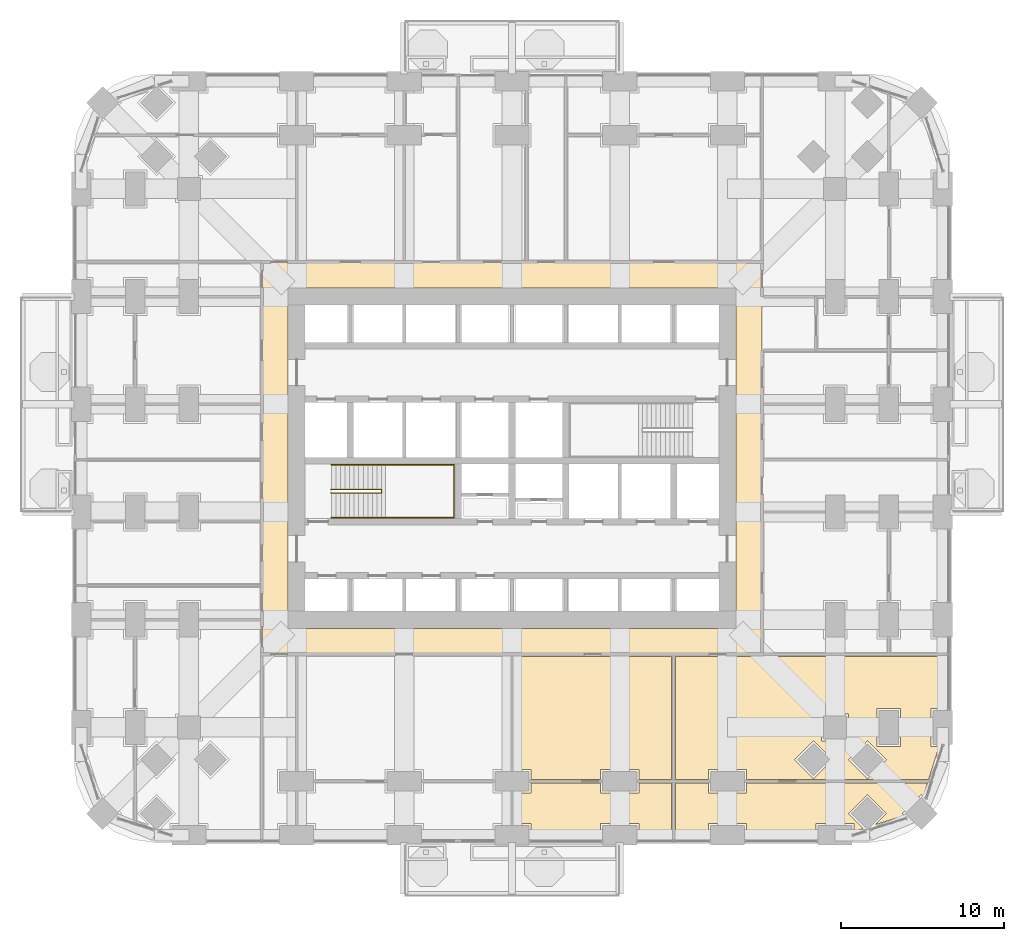
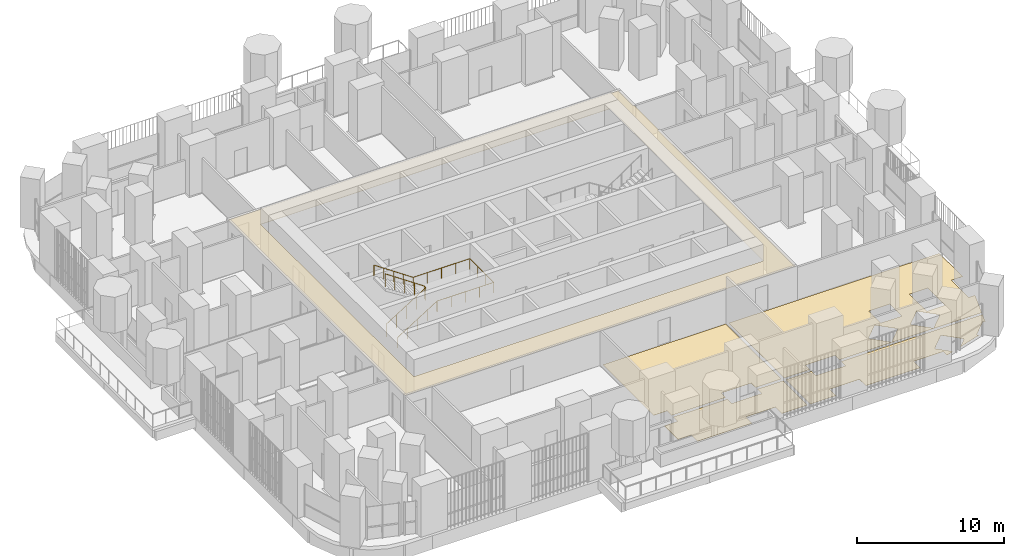
# One storey, part 23 of 26: 5 coverings, 2 railings.
"""IFC4 building model written with IfcOpenShell, lengths in metres."""

from ifc_helpers import new_model, si_unit, direction, frame, origin, place, context, subcontext, project, spatial, polyline, outline, extrude, material, layer, layer_set, type_object, element, save


model = new_model("IFC4")

# Units and contexts
model_context = context("Model", 3, precision=1e-05, world=origin(), true_north=direction((0.0, 1.0)))
body_context = subcontext(model_context, "Body", "Model", "MODEL_VIEW")
ifc_project = project(units=[si_unit("LENGTHUNIT", "METRE"), si_unit("AREAUNIT", "SQUARE_METRE"), si_unit("VOLUMEUNIT", "CUBIC_METRE"), si_unit("PLANEANGLEUNIT", "RADIAN"), si_unit("MASSUNIT", "GRAM", prefix="KILO")], contexts=[model_context])

# Site, building, storey
site_placement = place(None, origin())
site = spatial("IfcSite", under=ifc_project, at=site_placement, CompositionType="ELEMENT")
building_placement = place(site_placement, origin())
building = spatial("IfcBuilding", under=site, at=building_placement, Name="Cobogo Forest Laboratory Tower", CompositionType="ELEMENT")
storey_placement = place(building_placement, frame((0.0, 0.0, 25.5)))
storey = spatial("IfcBuildingStorey", under=building, at=storey_placement, Name="L05", CompositionType="ELEMENT", Elevation=25.5)

# Coverings
ifc_material_1 = material(Name="Mineral fibre ceiling tile", Category="ceiling")
ifc_layer_1 = layer(ifc_material_1, 0.02001953125)
ifc_layer_set_1 = layer_set([ifc_layer_1], Name="CL1 suspended ceiling")
covering_type_1 = type_object("IfcCoveringType", Name="CL1 suspended ceiling", PredefinedType="CEILING", material=ifc_layer_set_1)
covering_1_placement = place(storey_placement, frame((0.0, 0.0, 2.800048828125)))
element("IfcCovering", 1, at=covering_1_placement, inside=storey, type_object=covering_type_1, Name="Corridor ceiling L05", PredefinedType="CEILING", context=body_context, shape_type="SweptSolid", body=[
    extrude(outline(polyline([(11.074951171875, 11.074951171875), (11.074951171875, 35.125), (41.72509765625, 35.125), (41.72509765625, 11.074951171875), (11.074951171875, 11.074951171875)]), holes=[polyline([(40.125, 33.52490234375), (12.675048828125, 33.52490234375), (12.675048828125, 12.675048828125), (40.125, 12.675048828125), (40.125, 33.52490234375)])]), origin(), (0.0, 0.0, 1.0), 0.02001953125),
])
ifc_material_2 = material(Name="Carpet tile on raised access floor", Category="flooring")
ifc_layer_2 = layer(ifc_material_2, 0.008056640625)
ifc_layer_set_2 = layer_set([ifc_layer_2], Name="CT1 carpet tile floor 8")
covering_type_2 = type_object("IfcCoveringType", Name="CT1 carpet tile floor 8", PredefinedType="FLOORING", material=ifc_layer_set_2)
covering_2_placement = place(storey_placement, origin())
element("IfcCovering", 2, at=covering_2_placement, inside=storey, type_object=covering_type_2, Name="Carpet floor L05-05", PredefinedType="FLOORING", context=body_context, shape_type="SweptSolid", body=[
    extrude(outline(polyline([(31.830078125, 3.179931640625), (31.830078125, 2.580078125), (34.169921875, 2.580078125), (34.169921875, 3.179931640625), (36.179931640625, 3.179931640625), (36.179931640625, -0.14990234375), (34.169921875, -0.14990234375), (34.169921875, 0.719970703125), (31.830078125, 0.719970703125), (31.830078125, -0.14990234375), (27.570068359375, -0.14990234375), (27.570068359375, 0.719970703125), (26.52001953125, 0.719970703125), (26.52001953125, 2.580078125), (27.570068359375, 2.580078125), (27.570068359375, 3.179931640625), (31.830078125, 3.179931640625)])), origin(), (0.0, 0.0, 1.0), 0.008056640625),
])
covering_3_placement = place(storey_placement, origin())
element("IfcCovering", 3, at=covering_3_placement, inside=storey, type_object=covering_type_2, Name="Carpet floor L05-07", PredefinedType="FLOORING", context=body_context, shape_type="SweptSolid", body=[
    extrude(outline(polyline([(38.429931640625, 3.179931640625), (38.429931640625, 2.580078125), (40.77001953125, 2.580078125), (40.77001953125, 3.179931640625), (51.8603515625, 3.179931640625), (51.600830078125, 2.358642578125), (51.48193359375, 2.477783203125), (50.322265625, 1.318115234375), (50.441162109375, 1.19921875), (48.660400390625, 0.63671875), (49.341552734375, 1.318115234375), (48.181884765625, 2.477783203125), (47.022216796875, 1.318115234375), (47.933349609375, 0.406982421875), (47.3701171875, 0.229248046875), (47.3701171875, 0.719970703125), (45.030029296875, 0.719970703125), (45.030029296875, -0.14990234375), (40.77001953125, -0.14990234375), (40.77001953125, 0.719970703125), (38.429931640625, 0.719970703125), (38.429931640625, -0.14990234375), (36.419921875, -0.14990234375), (36.419921875, 3.179931640625), (38.429931640625, 3.179931640625)])), origin(), (0.0, 0.0, 1.0), 0.008056640625),
])

# Railings
ifc_material_3 = material(Name="Steel balustrade", Category="steel")
railing_type_1 = type_object("IfcRailingType", Name="GR stair guard 1100", PredefinedType="GUARDRAIL", material=ifc_material_3)
railing_1_placement = place(storey_placement, frame((15.324951171875, 20.969970703125, 0.175048828125)))
element("IfcRailing", 4, at=railing_1_placement, inside=storey, type_object=railing_type_1, Name="Stair guard ST1 L05", PredefinedType="GUARDRAIL", context=body_context, shape_type="SweptSolid", body=[
    extrude(outline(polyline([(0.022216796875, 0.00927734375), (0.00927734375, 0.022216796875), (-0.00927734375, 0.022216796875), (-0.022216796875, 0.00927734375), (-0.022216796875, -0.00927734375), (-0.00927734375, -0.022216796875), (0.00927734375, -0.022216796875), (0.022216796875, -0.00927734375), (0.022216796875, 0.00927734375)])), frame((0.0, 0.0, 1.077880859375), z_axis=(0.847998304005, 0.0, 0.529998940003), x_axis=(0.0, 1.0, 0.0)), (0.0, 0.0, 1.0), 3.632080078125),
    extrude(outline(polyline([(0.022216796875, 0.00927734375), (0.00927734375, 0.022216796875), (-0.00927734375, 0.022216796875), (-0.022216796875, 0.00927734375), (-0.022216796875, -0.00927734375), (-0.00927734375, -0.022216796875), (0.00927734375, -0.022216796875), (0.022216796875, -0.00927734375), (0.022216796875, 0.00927734375)])), frame((3.080078125, 0.0, 3.0029296875), z_axis=(0.0, 1.0, 0.0), x_axis=(-1.0, 0.0, 0.0)), (0.0, 0.0, 1.0), 0.2099609375),
    extrude(outline(polyline([(0.022216796875, 0.00927734375), (0.00927734375, 0.022216796875), (-0.00927734375, 0.022216796875), (-0.022216796875, 0.00927734375), (-0.022216796875, -0.00927734375), (-0.00927734375, -0.022216796875), (0.00927734375, -0.022216796875), (0.022216796875, -0.00927734375), (0.022216796875, 0.00927734375)])), frame((3.080078125, 0.2099609375, 3.0029296875), z_axis=(-0.826252282691, 0.0, 0.563300244406), x_axis=(0.0, -1.0, 0.0)), (0.0, 0.0, 1.0), 3.727783203125),
    extrude(outline(polyline([(0.019287109375, 0.008056640625), (0.008056640625, 0.019287109375), (-0.008056640625, 0.019287109375), (-0.019287109375, 0.008056640625), (-0.019287109375, -0.008056640625), (-0.008056640625, -0.019287109375), (0.008056640625, -0.019287109375), (0.019287109375, -0.008056640625), (0.019287109375, 0.008056640625)])), origin(), (0.0, 0.0, 1.0), 1.077880859375),
    extrude(outline(polyline([(0.019287109375, 0.008056640625), (0.008056640625, 0.019287109375), (-0.008056640625, 0.019287109375), (-0.019287109375, 0.008056640625), (-0.019287109375, -0.008056640625), (-0.008056640625, -0.019287109375), (0.008056640625, -0.019287109375), (0.019287109375, -0.008056640625), (0.019287109375, 0.008056640625)])), frame((0.77001953125, 0.0, 0.481201171875)), (0.0, 0.0, 1.0), 1.077880859375),
    extrude(outline(polyline([(0.019287109375, 0.008056640625), (0.008056640625, 0.019287109375), (-0.008056640625, 0.019287109375), (-0.019287109375, 0.008056640625), (-0.019287109375, -0.008056640625), (-0.008056640625, -0.019287109375), (0.008056640625, -0.019287109375), (0.019287109375, -0.008056640625), (0.019287109375, 0.008056640625)])), frame((1.5400390625, 0.0, 0.96240234375)), (0.0, 0.0, 1.0), 1.077880859375),
    extrude(outline(polyline([(0.019287109375, 0.008056640625), (0.008056640625, 0.019287109375), (-0.008056640625, 0.019287109375), (-0.019287109375, 0.008056640625), (-0.019287109375, -0.008056640625), (-0.008056640625, -0.019287109375), (0.008056640625, -0.019287109375), (0.019287109375, -0.008056640625), (0.019287109375, 0.008056640625)])), frame((2.31005859375, 0.0, 1.44384765625)), (0.0, 0.0, 1.0), 1.077880859375),
    extrude(outline(polyline([(0.019287109375, 0.008056640625), (0.008056640625, 0.019287109375), (-0.008056640625, 0.019287109375), (-0.019287109375, 0.008056640625), (-0.019287109375, -0.008056640625), (-0.008056640625, -0.019287109375), (0.008056640625, -0.019287109375), (0.019287109375, -0.008056640625), (0.019287109375, 0.008056640625)])), frame((3.080078125, 0.0, 1.925048828125)), (0.0, 0.0, 1.0), 1.077880859375),
    extrude(outline(polyline([(0.019287109375, 0.008056640625), (0.008056640625, 0.019287109375), (-0.008056640625, 0.019287109375), (-0.019287109375, 0.008056640625), (-0.019287109375, -0.008056640625), (-0.008056640625, -0.019287109375), (0.008056640625, -0.019287109375), (0.019287109375, -0.008056640625), (0.019287109375, 0.008056640625)])), frame((3.080078125, 0.2099609375, 1.925048828125)), (0.0, 0.0, 1.0), 1.077880859375),
    extrude(outline(polyline([(0.019287109375, 0.008056640625), (0.008056640625, 0.019287109375), (-0.008056640625, 0.019287109375), (-0.019287109375, 0.008056640625), (-0.019287109375, -0.008056640625), (-0.008056640625, -0.019287109375), (0.008056640625, -0.019287109375), (0.019287109375, -0.008056640625), (0.019287109375, 0.008056640625)])), frame((2.31005859375, 0.2099609375, 2.449951171875)), (0.0, 0.0, 1.0), 1.077880859375),
    extrude(outline(polyline([(0.019287109375, 0.008056640625), (0.008056640625, 0.019287109375), (-0.008056640625, 0.019287109375), (-0.019287109375, 0.008056640625), (-0.019287109375, -0.008056640625), (-0.008056640625, -0.019287109375), (0.008056640625, -0.019287109375), (0.019287109375, -0.008056640625), (0.019287109375, 0.008056640625)])), frame((1.5400390625, 0.2099609375, 2.97509765625)), (0.0, 0.0, 1.0), 1.077880859375),
    extrude(outline(polyline([(0.019287109375, 0.008056640625), (0.008056640625, 0.019287109375), (-0.008056640625, 0.019287109375), (-0.019287109375, 0.008056640625), (-0.019287109375, -0.008056640625), (-0.008056640625, -0.019287109375), (0.008056640625, -0.019287109375), (0.019287109375, -0.008056640625), (0.019287109375, 0.008056640625)])), frame((0.77001953125, 0.2099609375, 3.5)), (0.0, 0.0, 1.0), 1.077880859375),
    extrude(outline(polyline([(0.019287109375, 0.008056640625), (0.008056640625, 0.019287109375), (-0.008056640625, 0.019287109375), (-0.019287109375, 0.008056640625), (-0.019287109375, -0.008056640625), (-0.008056640625, -0.019287109375), (0.008056640625, -0.019287109375), (0.019287109375, -0.008056640625), (0.019287109375, 0.008056640625)])), frame((0.0, 0.2099609375, 4.02490234375)), (0.0, 0.0, 1.0), 1.077880859375),
])
ifc_material_4 = material(Name="Stainless steel handrail", Category="steel")
railing_type_2 = type_object("IfcRailingType", Name="HR handrail 900", PredefinedType="HANDRAIL", material=ifc_material_4)
railing_2_placement = place(storey_placement, frame((15.324951171875, 19.449951171875, 0.175048828125)))
element("IfcRailing", 5, at=railing_2_placement, inside=storey, type_object=railing_type_2, Name="Stair handrail ST1 L05", PredefinedType="HANDRAIL", context=body_context, shape_type="SweptSolid", body=[
    extrude(outline(polyline([(0.022216796875, 0.00927734375), (0.00927734375, 0.022216796875), (-0.00927734375, 0.022216796875), (-0.022216796875, 0.00927734375), (-0.022216796875, -0.00927734375), (-0.00927734375, -0.022216796875), (0.00927734375, -0.022216796875), (0.022216796875, -0.00927734375), (0.022216796875, 0.00927734375)])), frame((0.0, 0.0, 0.877685546875), z_axis=(0.847998304005, 0.0, 0.529998940003), x_axis=(0.0, 1.0, 0.0)), (0.0, 0.0, 1.0), 3.632080078125),
    extrude(outline(polyline([(0.022216796875, 0.00927734375), (0.00927734375, 0.022216796875), (-0.00927734375, 0.022216796875), (-0.022216796875, 0.00927734375), (-0.022216796875, -0.00927734375), (-0.00927734375, -0.022216796875), (0.00927734375, -0.022216796875), (0.022216796875, -0.00927734375), (0.022216796875, 0.00927734375)])), frame((3.080078125, 0.0, 2.802734375), z_axis=(1.0, 0.0, 0.0), x_axis=(0.0, 1.0, 0.0)), (0.0, 0.0, 1.0), 4.445068359375),
    extrude(outline(polyline([(0.022216796875, 0.00927734375), (0.00927734375, 0.022216796875), (-0.00927734375, 0.022216796875), (-0.022216796875, 0.00927734375), (-0.022216796875, -0.00927734375), (-0.00927734375, -0.022216796875), (0.00927734375, -0.022216796875), (0.022216796875, -0.00927734375), (0.022216796875, 0.00927734375)])), frame((7.525146484375, 0.0, 2.802734375), z_axis=(0.0, 1.0, 0.0), x_axis=(-1.0, 0.0, 0.0)), (0.0, 0.0, 1.0), 3.25),
    extrude(outline(polyline([(0.022216796875, 0.00927734375), (0.00927734375, 0.022216796875), (-0.00927734375, 0.022216796875), (-0.022216796875, 0.00927734375), (-0.022216796875, -0.00927734375), (-0.00927734375, -0.022216796875), (0.00927734375, -0.022216796875), (0.022216796875, -0.00927734375), (0.022216796875, 0.00927734375)])), frame((7.525146484375, 3.25, 2.802734375), z_axis=(-1.0, 0.0, 0.0), x_axis=(0.0, -1.0, 0.0)), (0.0, 0.0, 1.0), 4.445068359375),
    extrude(outline(polyline([(0.022216796875, 0.00927734375), (0.00927734375, 0.022216796875), (-0.00927734375, 0.022216796875), (-0.022216796875, 0.00927734375), (-0.022216796875, -0.00927734375), (-0.00927734375, -0.022216796875), (0.00927734375, -0.022216796875), (0.022216796875, -0.00927734375), (0.022216796875, 0.00927734375)])), frame((3.080078125, 3.25, 2.802734375), z_axis=(-0.826252282691, 0.0, 0.563300244406), x_axis=(0.0, -1.0, 0.0)), (0.0, 0.0, 1.0), 3.727783203125),
    extrude(outline(polyline([(0.019287109375, 0.008056640625), (0.008056640625, 0.019287109375), (-0.008056640625, 0.019287109375), (-0.019287109375, 0.008056640625), (-0.019287109375, -0.008056640625), (-0.008056640625, -0.019287109375), (0.008056640625, -0.019287109375), (0.019287109375, -0.008056640625), (0.019287109375, 0.008056640625)])), origin(), (0.0, 0.0, 1.0), 0.877685546875),
    extrude(outline(polyline([(0.019287109375, 0.008056640625), (0.008056640625, 0.019287109375), (-0.008056640625, 0.019287109375), (-0.019287109375, 0.008056640625), (-0.019287109375, -0.008056640625), (-0.008056640625, -0.019287109375), (0.008056640625, -0.019287109375), (0.019287109375, -0.008056640625), (0.019287109375, 0.008056640625)])), frame((0.77001953125, 0.0, 0.481201171875)), (0.0, 0.0, 1.0), 0.877685546875),
    extrude(outline(polyline([(0.019287109375, 0.008056640625), (0.008056640625, 0.019287109375), (-0.008056640625, 0.019287109375), (-0.019287109375, 0.008056640625), (-0.019287109375, -0.008056640625), (-0.008056640625, -0.019287109375), (0.008056640625, -0.019287109375), (0.019287109375, -0.008056640625), (0.019287109375, 0.008056640625)])), frame((1.5400390625, 0.0, 0.96240234375)), (0.0, 0.0, 1.0), 0.877685546875),
    extrude(outline(polyline([(0.019287109375, 0.008056640625), (0.008056640625, 0.019287109375), (-0.008056640625, 0.019287109375), (-0.019287109375, 0.008056640625), (-0.019287109375, -0.008056640625), (-0.008056640625, -0.019287109375), (0.008056640625, -0.019287109375), (0.019287109375, -0.008056640625), (0.019287109375, 0.008056640625)])), frame((2.31005859375, 0.0, 1.44384765625)), (0.0, 0.0, 1.0), 0.877685546875),
    extrude(outline(polyline([(0.019287109375, 0.008056640625), (0.008056640625, 0.019287109375), (-0.008056640625, 0.019287109375), (-0.019287109375, 0.008056640625), (-0.019287109375, -0.008056640625), (-0.008056640625, -0.019287109375), (0.008056640625, -0.019287109375), (0.019287109375, -0.008056640625), (0.019287109375, 0.008056640625)])), frame((3.080078125, 0.0, 1.925048828125)), (0.0, 0.0, 1.0), 0.877685546875),
    extrude(outline(polyline([(0.019287109375, 0.008056640625), (0.008056640625, 0.019287109375), (-0.008056640625, 0.019287109375), (-0.019287109375, 0.008056640625), (-0.019287109375, -0.008056640625), (-0.008056640625, -0.019287109375), (0.008056640625, -0.019287109375), (0.019287109375, -0.008056640625), (0.019287109375, 0.008056640625)])), frame((4.19140625, 0.0, 1.925048828125)), (0.0, 0.0, 1.0), 0.877685546875),
    extrude(outline(polyline([(0.019287109375, 0.008056640625), (0.008056640625, 0.019287109375), (-0.008056640625, 0.019287109375), (-0.019287109375, 0.008056640625), (-0.019287109375, -0.008056640625), (-0.008056640625, -0.019287109375), (0.008056640625, -0.019287109375), (0.019287109375, -0.008056640625), (0.019287109375, 0.008056640625)])), frame((5.302734375, 0.0, 1.925048828125)), (0.0, 0.0, 1.0), 0.877685546875),
    extrude(outline(polyline([(0.019287109375, 0.008056640625), (0.008056640625, 0.019287109375), (-0.008056640625, 0.019287109375), (-0.019287109375, 0.008056640625), (-0.019287109375, -0.008056640625), (-0.008056640625, -0.019287109375), (0.008056640625, -0.019287109375), (0.019287109375, -0.008056640625), (0.019287109375, 0.008056640625)])), frame((6.413818359375, 0.0, 1.925048828125)), (0.0, 0.0, 1.0), 0.877685546875),
    extrude(outline(polyline([(0.019287109375, 0.008056640625), (0.008056640625, 0.019287109375), (-0.008056640625, 0.019287109375), (-0.019287109375, 0.008056640625), (-0.019287109375, -0.008056640625), (-0.008056640625, -0.019287109375), (0.008056640625, -0.019287109375), (0.019287109375, -0.008056640625), (0.019287109375, 0.008056640625)])), frame((7.525146484375, 0.0, 1.925048828125)), (0.0, 0.0, 1.0), 0.877685546875),
    extrude(outline(polyline([(0.019287109375, 0.008056640625), (0.008056640625, 0.019287109375), (-0.008056640625, 0.019287109375), (-0.019287109375, 0.008056640625), (-0.019287109375, -0.008056640625), (-0.008056640625, -0.019287109375), (0.008056640625, -0.019287109375), (0.019287109375, -0.008056640625), (0.019287109375, 0.008056640625)])), frame((7.525146484375, 1.083251953125, 1.925048828125)), (0.0, 0.0, 1.0), 0.877685546875),
    extrude(outline(polyline([(0.019287109375, 0.008056640625), (0.008056640625, 0.019287109375), (-0.008056640625, 0.019287109375), (-0.019287109375, 0.008056640625), (-0.019287109375, -0.008056640625), (-0.008056640625, -0.019287109375), (0.008056640625, -0.019287109375), (0.019287109375, -0.008056640625), (0.019287109375, 0.008056640625)])), frame((7.525146484375, 2.166748046875, 1.925048828125)), (0.0, 0.0, 1.0), 0.877685546875),
    extrude(outline(polyline([(0.019287109375, 0.008056640625), (0.008056640625, 0.019287109375), (-0.008056640625, 0.019287109375), (-0.019287109375, 0.008056640625), (-0.019287109375, -0.008056640625), (-0.008056640625, -0.019287109375), (0.008056640625, -0.019287109375), (0.019287109375, -0.008056640625), (0.019287109375, 0.008056640625)])), frame((7.525146484375, 3.25, 1.925048828125)), (0.0, 0.0, 1.0), 0.877685546875),
    extrude(outline(polyline([(0.019287109375, 0.008056640625), (0.008056640625, 0.019287109375), (-0.008056640625, 0.019287109375), (-0.019287109375, 0.008056640625), (-0.019287109375, -0.008056640625), (-0.008056640625, -0.019287109375), (0.008056640625, -0.019287109375), (0.019287109375, -0.008056640625), (0.019287109375, 0.008056640625)])), frame((6.413818359375, 3.25, 1.925048828125)), (0.0, 0.0, 1.0), 0.877685546875),
    extrude(outline(polyline([(0.019287109375, 0.008056640625), (0.008056640625, 0.019287109375), (-0.008056640625, 0.019287109375), (-0.019287109375, 0.008056640625), (-0.019287109375, -0.008056640625), (-0.008056640625, -0.019287109375), (0.008056640625, -0.019287109375), (0.019287109375, -0.008056640625), (0.019287109375, 0.008056640625)])), frame((5.302734375, 3.25, 1.925048828125)), (0.0, 0.0, 1.0), 0.877685546875),
    extrude(outline(polyline([(0.019287109375, 0.008056640625), (0.008056640625, 0.019287109375), (-0.008056640625, 0.019287109375), (-0.019287109375, 0.008056640625), (-0.019287109375, -0.008056640625), (-0.008056640625, -0.019287109375), (0.008056640625, -0.019287109375), (0.019287109375, -0.008056640625), (0.019287109375, 0.008056640625)])), frame((4.19140625, 3.25, 1.925048828125)), (0.0, 0.0, 1.0), 0.877685546875),
    extrude(outline(polyline([(0.019287109375, 0.008056640625), (0.008056640625, 0.019287109375), (-0.008056640625, 0.019287109375), (-0.019287109375, 0.008056640625), (-0.019287109375, -0.008056640625), (-0.008056640625, -0.019287109375), (0.008056640625, -0.019287109375), (0.019287109375, -0.008056640625), (0.019287109375, 0.008056640625)])), frame((3.080078125, 3.25, 1.925048828125)), (0.0, 0.0, 1.0), 0.877685546875),
    extrude(outline(polyline([(0.019287109375, 0.008056640625), (0.008056640625, 0.019287109375), (-0.008056640625, 0.019287109375), (-0.019287109375, 0.008056640625), (-0.019287109375, -0.008056640625), (-0.008056640625, -0.019287109375), (0.008056640625, -0.019287109375), (0.019287109375, -0.008056640625), (0.019287109375, 0.008056640625)])), frame((2.31005859375, 3.25, 2.449951171875)), (0.0, 0.0, 1.0), 0.877685546875),
    extrude(outline(polyline([(0.019287109375, 0.008056640625), (0.008056640625, 0.019287109375), (-0.008056640625, 0.019287109375), (-0.019287109375, 0.008056640625), (-0.019287109375, -0.008056640625), (-0.008056640625, -0.019287109375), (0.008056640625, -0.019287109375), (0.019287109375, -0.008056640625), (0.019287109375, 0.008056640625)])), frame((1.5400390625, 3.25, 2.97509765625)), (0.0, 0.0, 1.0), 0.877685546875),
    extrude(outline(polyline([(0.019287109375, 0.008056640625), (0.008056640625, 0.019287109375), (-0.008056640625, 0.019287109375), (-0.019287109375, 0.008056640625), (-0.019287109375, -0.008056640625), (-0.008056640625, -0.019287109375), (0.008056640625, -0.019287109375), (0.019287109375, -0.008056640625), (0.019287109375, 0.008056640625)])), frame((0.77001953125, 3.25, 3.5)), (0.0, 0.0, 1.0), 0.877685546875),
    extrude(outline(polyline([(0.019287109375, 0.008056640625), (0.008056640625, 0.019287109375), (-0.008056640625, 0.019287109375), (-0.019287109375, 0.008056640625), (-0.019287109375, -0.008056640625), (-0.008056640625, -0.019287109375), (0.008056640625, -0.019287109375), (0.019287109375, -0.008056640625), (0.019287109375, 0.008056640625)])), frame((0.0, 3.25, 4.02490234375)), (0.0, 0.0, 1.0), 0.877685546875),
])

# Coverings
ifc_material_5 = material(Name="Epoxy resin flooring", Category="flooring")
ifc_layer_3 = layer(ifc_material_5, 0.00390625)
ifc_layer_set_3 = layer_set([ifc_layer_3], Name="LF1 epoxy laboratory floor 4")
covering_type_3 = type_object("IfcCoveringType", Name="LF1 epoxy laboratory floor 4", PredefinedType="FLOORING", material=ifc_layer_set_3)
covering_4_placement = place(storey_placement, origin())
element("IfcCovering", 6, at=covering_4_placement, inside=storey, type_object=covering_type_3, Name="Epoxy laboratory floor L05-04", PredefinedType="FLOORING", context=body_context, shape_type="SweptSolid", body=[
    extrude(outline(polyline([(26.52001953125, 10.955078125), (36.179931640625, 10.955078125), (36.179931640625, 3.419921875), (34.169921875, 3.419921875), (34.169921875, 4.02001953125), (31.830078125, 4.02001953125), (31.830078125, 3.419921875), (27.570068359375, 3.419921875), (27.570068359375, 4.02001953125), (26.52001953125, 4.02001953125), (26.52001953125, 10.955078125)])), origin(), (0.0, 0.0, 1.0), 0.00390625),
])
covering_5_placement = place(storey_placement, origin())
element("IfcCovering", 7, at=covering_5_placement, inside=storey, type_object=covering_type_3, Name="Epoxy laboratory floor L05-06", PredefinedType="FLOORING", context=body_context, shape_type="SweptSolid", body=[
    extrude(outline(polyline([(36.419921875, 10.955078125), (52.949951171875, 10.955078125), (52.949951171875, 7.77001953125), (52.080078125, 7.77001953125), (52.080078125, 5.429931640625), (52.57080078125, 5.429931640625), (51.93603515625, 3.419921875), (40.77001953125, 3.419921875), (40.77001953125, 4.02001953125), (38.429931640625, 4.02001953125), (38.429931640625, 3.419921875), (36.419921875, 3.419921875), (36.419921875, 10.955078125)]), holes=[polyline([(48.780029296875, 5.429931640625), (50.219970703125, 5.429931640625), (50.219970703125, 7.77001953125), (48.780029296875, 7.77001953125), (48.780029296875, 5.429931640625)]), polyline([(48.181884765625, 5.777587890625), (47.022216796875, 4.617919921875), (48.181884765625, 3.458251953125), (49.341552734375, 4.617919921875), (48.181884765625, 5.777587890625)]), polyline([(45.3798828125, 7.419921875), (45.3798828125, 5.780029296875), (47.02001953125, 5.780029296875), (47.02001953125, 7.419921875), (45.3798828125, 7.419921875)]), polyline([(44.882080078125, 5.777587890625), (43.722412109375, 4.617919921875), (44.882080078125, 3.458251953125), (46.041748046875, 4.617919921875), (44.882080078125, 5.777587890625)])]), origin(), (0.0, 0.0, 1.0), 0.00390625),
])

save(model, "model.ifc")
